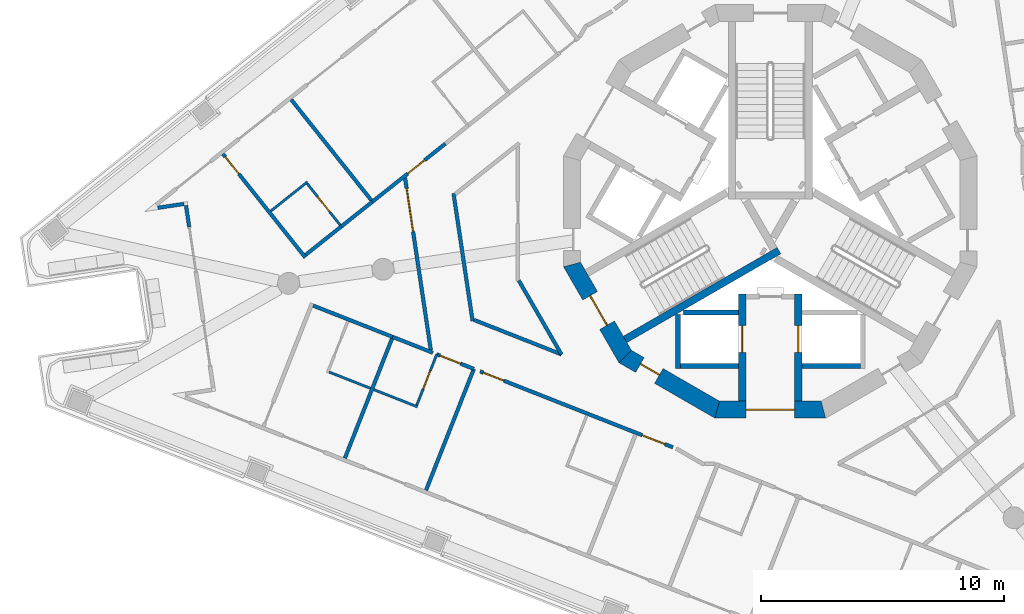
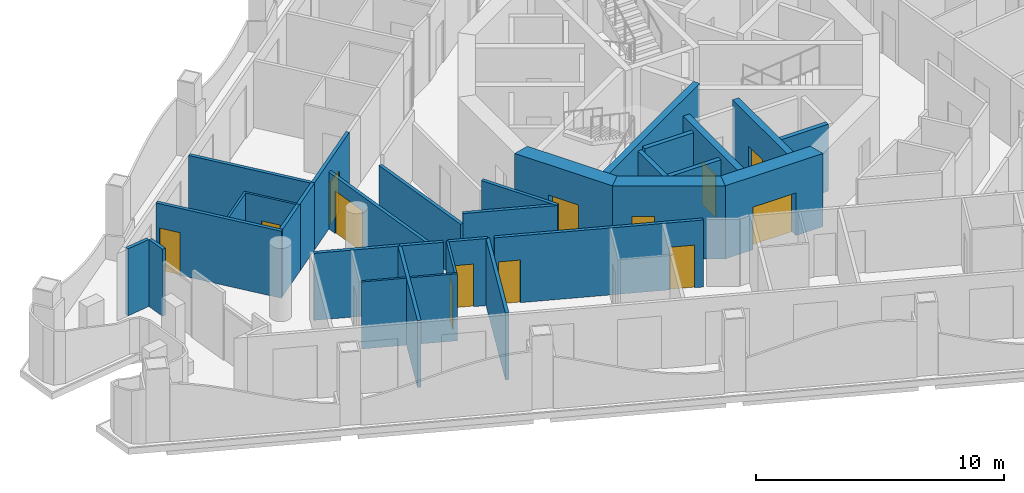
# One storey, part 3 of 17: 32 walls, 13 doors, 13 openings.
"""IFC4 building model written with IfcOpenShell, lengths in metres."""

from ifc_helpers import new_model, si_unit, direction, frame, frame_2d, origin, place, context, subcontext, project, spatial, polyline, rectangle, outline, extrude, material, layer, layer_set, type_object, element, fill, save


model = new_model("IFC4")

# Units and contexts
model_context = context("Model", 3, precision=1e-05, world=origin(), true_north=direction((0.0, 1.0)))
body_context = subcontext(model_context, "Body", "Model", "MODEL_VIEW")
ifc_project = project(units=[si_unit("LENGTHUNIT", "METRE"), si_unit("AREAUNIT", "SQUARE_METRE"), si_unit("VOLUMEUNIT", "CUBIC_METRE"), si_unit("PLANEANGLEUNIT", "RADIAN"), si_unit("MASSUNIT", "GRAM", prefix="KILO")], contexts=[model_context])

# Site, building, storey
site_placement = place(None, origin())
site = spatial("IfcSite", under=ifc_project, at=site_placement, CompositionType="ELEMENT")
building_placement = place(site_placement, origin())
building = spatial("IfcBuilding", under=site, at=building_placement, Name="Trine Commons Tower", CompositionType="ELEMENT")
storey_placement = place(building_placement, frame((0.0, 0.0, 216.0)))
storey = spatial("IfcBuildingStorey", under=building, at=storey_placement, Name="L56", CompositionType="ELEMENT", Elevation=216.0)

# Walls
ifc_material_1 = material(Name="Aluminium-framed insulated wall panel", Category="aluminium")
ifc_layer_1 = layer(ifc_material_1, 0.14990234375)
ifc_layer_set_1 = layer_set([ifc_layer_1], Name="Aluminium-framed insulated wall panel")
wall_type_1 = type_object("IfcWallType", Name="Glazed frame wall 150, EI 60", PredefinedType="SOLIDWALL", material=ifc_layer_set_1)
wall_1_placement = place(storey_placement, frame((56.115966796875, 61.86279296875, 0.0), z_axis=(0.0, 0.0, 1.0), x_axis=(-0.147946480694, 0.988995368468, 0.0)))
element("IfcWall", 1, at=wall_1_placement, inside=storey, type_object=wall_type_1, Name="Glazed frame wall P3.5", PredefinedType="SOLIDWALL", context=body_context, shape_type="SweptSolid", body=[
    extrude(outline(polyline([(0.889892578125, 0.074951171875), (0.0, 0.074951171875), (0.0, -0.074951171875), (0.889892578125, -0.074951171875), (0.889892578125, 0.074951171875)])), origin(), (0.0, 0.0, 1.0), 3.300048828125),
])
wall_2_placement = place(storey_placement, frame((56.0078125, 62.822265625, 0.0), z_axis=(0.0, 0.0, 1.0), x_axis=(-0.98902141065, -0.147772288596, 0.0)))
element("IfcWall", 2, at=wall_2_placement, inside=storey, type_object=wall_type_1, Name="Glazed frame wall R12", PredefinedType="SOLIDWALL", context=body_context, shape_type="SweptSolid", body=[
    extrude(outline(polyline([(0.110107421875, 0.074951171875), (0.110107421875, -0.074951171875), (1.19580078125, -0.074951171875), (1.19580078125, 0.074951171875), (0.110107421875, 0.074951171875)])), origin(), (0.0, 0.0, 1.0), 3.300048828125),
])

# Wall, opening, door
ifc_material_2 = material(Name="Concrete C60/75", Category="concrete")
ifc_layer_2 = layer(ifc_material_2, 0.300048828125)
ifc_layer_set_2 = layer_set([ifc_layer_2], Name="Concrete C60/75")
wall_type_2 = type_object("IfcWallType", Name="RC shear wall 300 mm, C60/75", PredefinedType="SHEAR", material=ifc_layer_set_2)
wall_3_placement = place(storey_placement, frame((78.85009765625, 59.10009765625, 0.0), z_axis=(0.0, 0.0, 1.0), x_axis=(0.0, -1.0, 0.0)))
wall_3 = element("IfcWall", 3, at=wall_3_placement, inside=storey, type_object=wall_type_2, Name="Core cross wall SWC-03 L56", PredefinedType="SHEAR", context=body_context, shape_type="SweptSolid", body=[
    extrude(rectangle(XDim=4.400146484375, YDim=0.300048828125, at=frame_2d((2.2001953125, 0.0))), origin(), (0.0, 0.0, 1.0), 3.60009765625),
])
opening_1_placement = place(wall_3_placement, frame((1.300048828125, 0.0, 0.0)))
opening_1 = element("IfcOpeningElement", 4, at=opening_1_placement, cuts=wall_3, Name="Opening LD10", PredefinedType="OPENING", context=body_context, shape_type="SweptSolid", body=[
    extrude(rectangle(XDim=1.10009765625, YDim=2.10009765625, at=frame_2d((0.550048828125, 1.050048828125))), frame((0.0, 0.159912109375, 0.0), z_axis=(0.0, -1.0, 0.0), x_axis=(1.0, 0.0, 0.0)), (0.0, 0.0, 1.0), 0.320068359375),
])
ifc_material_3 = material(Name="Stainless steel sliding door leaves", Category="steel")
door_type_1 = type_object("IfcDoorType", Name="Lift landing door, centre-opening sliding 1100 x 2100, FD90", OperationType="DOUBLE_DOOR_SLIDING", PredefinedType="DOOR", material=ifc_material_3)
door_1_placement = place(opening_1_placement, origin())
door_1 = element("IfcDoor", 5, at=door_1_placement, inside=storey, type_object=door_type_1, Name="Lift landing door FF2 L56", OperationType="DOUBLE_DOOR_SLIDING", OverallHeight=2.10009765625, OverallWidth=1.10009765625, PredefinedType="DOOR", context=body_context, shape_type="SweptSolid", body=[
    extrude(rectangle(XDim=1.10009765625, YDim=2.10009765625, at=frame_2d((0.550048828125, 1.050048828125))), frame((0.0, 0.02490234375, 0.0), z_axis=(0.0, -1.0, 0.0), x_axis=(1.0, 0.0, 0.0)), (0.0, 0.0, 1.0), 0.050048828125),
])
fill(opening_1, door_1)

wall_4_placement = place(storey_placement, frame((81.14990234375, 59.10009765625, 0.0), z_axis=(0.0, 0.0, 1.0), x_axis=(0.0, -1.0, 0.0)))
wall_4 = element("IfcWall", 6, at=wall_4_placement, inside=storey, type_object=wall_type_2, Name="Core cross wall SWC-04 L56", PredefinedType="SHEAR", context=body_context, shape_type="SweptSolid", body=[
    extrude(rectangle(XDim=4.400146484375, YDim=0.300048828125, at=frame_2d((2.2001953125, 0.0))), origin(), (0.0, 0.0, 1.0), 3.60009765625),
])
opening_2_placement = place(wall_4_placement, frame((1.300048828125, 0.0, 0.0)))
opening_2 = element("IfcOpeningElement", 7, at=opening_2_placement, cuts=wall_4, Name="Opening LD9", PredefinedType="OPENING", context=body_context, shape_type="SweptSolid", body=[
    extrude(rectangle(XDim=1.10009765625, YDim=2.10009765625, at=frame_2d((0.550048828125, 1.050048828125))), frame((0.0, 0.159912109375, 0.0), z_axis=(0.0, -1.0, 0.0), x_axis=(1.0, 0.0, 0.0)), (0.0, 0.0, 1.0), 0.320068359375),
])
door_2_placement = place(opening_2_placement, origin())
door_2 = element("IfcDoor", 8, at=door_2_placement, inside=storey, type_object=door_type_1, Name="Lift landing door FF1 L56", OperationType="DOUBLE_DOOR_SLIDING", OverallHeight=2.10009765625, OverallWidth=1.10009765625, PredefinedType="DOOR", context=body_context, shape_type="SweptSolid", body=[
    extrude(rectangle(XDim=1.10009765625, YDim=2.10009765625, at=frame_2d((0.550048828125, 1.050048828125))), frame((0.0, 0.02490234375, 0.0), z_axis=(0.0, -1.0, 0.0), x_axis=(1.0, 0.0, 0.0)), (0.0, 0.0, 1.0), 0.050048828125),
])
fill(opening_2, door_2)

# Wall
wall_5_placement = place(storey_placement, frame((80.35400390625, 60.885986328125, 0.0), z_axis=(0.0, 0.0, 1.0), x_axis=(-0.866032430508, -0.49998782916, 0.0)))
element("IfcWall", 9, at=wall_5_placement, inside=storey, type_object=wall_type_2, Name="Core cross wall SWC-14 L56", PredefinedType="SHEAR", context=body_context, shape_type="SweptSolid", body=[
    extrude(rectangle(XDim=7.300048828125, YDim=0.300048828125, at=frame_2d((3.64990234375, 0.0))), origin(), (0.0, 0.0, 1.0), 3.60009765625),
])

# Wall, opening, door
ifc_layer_3 = layer(ifc_material_2, 0.699951171875)
ifc_layer_set_3 = layer_set([ifc_layer_3], Name="Concrete C60/75")
wall_type_3 = type_object("IfcWallType", Name="RC shear wall 700 mm, C60/75", PredefinedType="SHEAR", material=ifc_layer_set_3)
wall_6_placement = place(storey_placement, frame((71.802978515625, 60.3974609375, 0.0), z_axis=(0.0, 0.0, 1.0), x_axis=(0.499983800959, -0.866034756103, 0.0)))
wall_6 = element("IfcWall", 10, at=wall_6_placement, inside=storey, type_object=wall_type_3, Name="Core wall CWF-08 L56", PredefinedType="SHEAR", context=body_context, shape_type="SweptSolid", body=[
    extrude(outline(polyline([(0.0, -0.35009765625), (4.55517578125, -0.35009765625), (4.36767578125, 0.35009765625), (0.1875, 0.35009765625), (0.0, -0.35009765625)])), origin(), (0.0, 0.0, 1.0), 3.60009765625),
])
opening_3_placement = place(wall_6_placement, frame((1.577392578125, 0.0, 0.0)))
opening_3 = element("IfcOpeningElement", 11, at=opening_3_placement, cuts=wall_6, Name="Opening K16.02", PredefinedType="OPENING", context=body_context, shape_type="SweptSolid", body=[
    extrude(rectangle(XDim=1.39990234375, YDim=2.10009765625, at=frame_2d((0.699951171875, 1.050048828125))), frame((0.0, 0.35986328125, 0.0), z_axis=(0.0, -1.0, 0.0), x_axis=(1.0, 0.0, 0.0)), (0.0, 0.0, 1.0), 0.719970703125),
])
ifc_material_4 = material(Name="Steel door leaves, fire-rated", Category="steel")
door_type_2 = type_object("IfcDoorType", Name="Stair door, double leaf 1400 x 2100, FD90", OperationType="DOUBLE_DOOR_SINGLE_SWING", PredefinedType="DOOR", material=ifc_material_4)
door_3_placement = place(opening_3_placement, origin())
door_3 = element("IfcDoor", 12, at=door_3_placement, inside=storey, type_object=door_type_2, Name="Stair door to Exit stair ST2C L56", OperationType="DOUBLE_DOOR_SINGLE_SWING", OverallHeight=2.10009765625, OverallWidth=1.39990234375, PredefinedType="DOOR", context=body_context, shape_type="SweptSolid", body=[
    extrude(rectangle(XDim=1.39990234375, YDim=2.10009765625, at=frame_2d((0.699951171875, 1.050048828125))), frame((0.0, 0.02490234375, 0.0), z_axis=(0.0, -1.0, 0.0), x_axis=(1.0, 0.0, 0.0)), (0.0, 0.0, 1.0), 0.050048828125),
])
fill(opening_3, door_3)

wall_7_placement = place(storey_placement, frame((73.952392578125, 56.58056640625, 0.0), z_axis=(0.0, 0.0, 1.0), x_axis=(0.866034756103, -0.499983800959, 0.0)))
wall_7 = element("IfcWall", 13, at=wall_7_placement, inside=storey, type_object=wall_type_3, Name="Core wall CWF-09 L56", PredefinedType="SHEAR", context=body_context, shape_type="SweptSolid", body=[
    extrude(outline(polyline([(0.0, -0.35009765625), (4.55517578125, -0.35009765625), (4.36767578125, 0.35009765625), (0.1875, 0.35009765625), (0.0, -0.35009765625)])), origin(), (0.0, 0.0, 1.0), 3.60009765625),
])
opening_4_placement = place(wall_7_placement, frame((0.791015625, 0.0, 0.0)))
opening_4 = element("IfcOpeningElement", 14, at=opening_4_placement, cuts=wall_7, Name="Opening K16.15", PredefinedType="OPENING", context=body_context, shape_type="SweptSolid", body=[
    extrude(rectangle(XDim=0.89990234375, YDim=2.10009765625, at=frame_2d((0.449951171875, 1.050048828125))), frame((0.0, 0.35986328125, 0.0), z_axis=(0.0, -1.0, 0.0), x_axis=(1.0, 0.0, 0.0)), (0.0, 0.0, 1.0), 0.719970703125),
])
ifc_material_5 = material(Name="Steel door leaf, fire-rated", Category="steel")
door_type_3 = type_object("IfcDoorType", Name="Core room door, single leaf 900 x 2100, FD30S", OperationType="SINGLE_SWING_LEFT", PredefinedType="DOOR", material=ifc_material_5)
door_4_placement = place(opening_4_placement, origin())
door_4 = element("IfcDoor", 15, at=door_4_placement, inside=storey, type_object=door_type_3, Name="Door to Parcel store L56", OperationType="SINGLE_SWING_LEFT", OverallHeight=2.10009765625, OverallWidth=0.89990234375, PredefinedType="DOOR", context=body_context, shape_type="SweptSolid", body=[
    extrude(rectangle(XDim=0.89990234375, YDim=2.10009765625, at=frame_2d((0.449951171875, 1.050048828125))), frame((0.0, 0.0751953125, 0.0), z_axis=(0.0, -1.0, 0.0), x_axis=(1.0, 0.0, 0.0)), (0.0, 0.0, 1.0), 0.050048828125),
])
fill(opening_4, door_4)

wall_8_placement = place(storey_placement, frame((77.722412109375, 54.349853515625, 0.0), z_axis=(0.0, 0.0, 1.0), x_axis=(1.0, 0.0, 0.0)))
wall_8 = element("IfcWall", 16, at=wall_8_placement, inside=storey, type_object=wall_type_3, Name="Core wall CWF-10 L56", PredefinedType="SHEAR", context=body_context, shape_type="SweptSolid", body=[
    extrude(outline(polyline([(0.0, -0.35009765625), (4.55517578125, -0.35009765625), (4.36767578125, 0.35009765625), (0.1875, 0.35009765625), (0.0, -0.35009765625)])), origin(), (0.0, 0.0, 1.0), 3.60009765625),
])
opening_5_placement = place(wall_8_placement, frame((1.277587890625, 0.0, 0.0)))
opening_5 = element("IfcOpeningElement", 17, at=opening_5_placement, cuts=wall_8, Name="Opening K16.08", PredefinedType="OPENING", context=body_context, shape_type="SweptSolid", body=[
    extrude(rectangle(XDim=2.0, YDim=2.10009765625, at=frame_2d((1.0, 1.050048828125))), frame((0.0, 0.35986328125, 0.0), z_axis=(0.0, -1.0, 0.0), x_axis=(1.0, 0.0, 0.0)), (0.0, 0.0, 1.0), 0.719970703125),
])
door_type_4 = type_object("IfcDoorType", Name="Lobby door, double leaf 2000 x 2100, FD60", OperationType="DOUBLE_DOOR_SINGLE_SWING", PredefinedType="DOOR", material=ifc_material_4)
door_5_placement = place(opening_5_placement, origin())
door_5 = element("IfcDoor", 18, at=door_5_placement, inside=storey, type_object=door_type_4, Name="Lobby door, Service and firefighting lobby L56", OperationType="DOUBLE_DOOR_SINGLE_SWING", OverallHeight=2.10009765625, OverallWidth=2.0, PredefinedType="DOOR", context=body_context, shape_type="SweptSolid", body=[
    extrude(rectangle(XDim=2.0, YDim=2.10009765625, at=frame_2d((1.0, 1.050048828125))), frame((0.0, 0.02490234375, 0.0), z_axis=(0.0, -1.0, 0.0), x_axis=(1.0, 0.0, 0.0)), (0.0, 0.0, 1.0), 0.050048828125),
])
fill(opening_5, door_5)

# Walls
ifc_material_6 = material(Name="Fire-rated gypsum shaft wall system")
ifc_layer_4 = layer(ifc_material_6, 0.199951171875)
ifc_layer_set_4 = layer_set([ifc_layer_4], Name="Fire-rated gypsum shaft wall system")
wall_type_4 = type_object("IfcWallType", Name="Shaft wall 200 mm, EI 120", PredefinedType="PARTITIONING", material=ifc_layer_set_4)
wall_9_placement = place(storey_placement, frame((76.199951171875, 58.257080078125, 0.0), z_axis=(0.0, 0.0, 1.0), x_axis=(0.0, -1.0, 0.0)))
element("IfcWall", 19, at=wall_9_placement, inside=storey, type_object=wall_type_4, Name="Shaft wall L56", PredefinedType="PARTITIONING", context=body_context, shape_type="SweptSolid", body=[
    extrude(rectangle(XDim=2.20703125, YDim=0.199951171875, at=frame_2d((1.103515625, 0.0))), origin(), (0.0, 0.0, 1.0), 3.300048828125),
])
wall_10_placement = place(storey_placement, frame((78.699951171875, 56.14990234375, 0.0), z_axis=(0.0, 0.0, 1.0), x_axis=(-1.0, 0.0, 0.0)))
element("IfcWall", 20, at=wall_10_placement, inside=storey, type_object=wall_type_4, Name="Shaft wall L56", PredefinedType="PARTITIONING", context=body_context, shape_type="SweptSolid", body=[
    extrude(rectangle(XDim=2.39990234375, YDim=0.199951171875, at=frame_2d((1.199951171875, 0.0))), origin(), (0.0, 0.0, 1.0), 3.300048828125),
])
wall_11_placement = place(storey_placement, frame((78.699951171875, 58.35009765625, 0.0), z_axis=(0.0, 0.0, 1.0), x_axis=(-1.0, 0.0, 0.0)))
element("IfcWall", 21, at=wall_11_placement, inside=storey, type_object=wall_type_4, Name="Shaft wall L56", PredefinedType="PARTITIONING", context=body_context, shape_type="SweptSolid", body=[
    extrude(rectangle(XDim=2.264892578125, YDim=0.199951171875, at=frame_2d((1.13232421875, 0.0))), origin(), (0.0, 0.0, 1.0), 3.300048828125),
])
wall_12_placement = place(storey_placement, frame((81.300048828125, 56.14990234375, 0.0), z_axis=(0.0, 0.0, 1.0), x_axis=(1.0, 0.0, 0.0)))
element("IfcWall", 22, at=wall_12_placement, inside=storey, type_object=wall_type_4, Name="Shaft wall L56", PredefinedType="PARTITIONING", context=body_context, shape_type="SweptSolid", body=[
    extrude(rectangle(XDim=2.39990234375, YDim=0.199951171875, at=frame_2d((1.199951171875, 0.0))), origin(), (0.0, 0.0, 1.0), 3.300048828125),
])

# Wall, opening, door
ifc_material_7 = material(Name="Gypsum plasterboard on steel stud", Category="steel")
ifc_layer_5 = layer(ifc_material_7, 0.14990234375)
ifc_layer_set_5 = layer_set([ifc_layer_5], Name="Gypsum plasterboard on steel stud")
wall_type_5 = type_object("IfcWallType", Name="Unit and corridor wall 150 mm, EI 60", PredefinedType="PARTITIONING", material=ifc_layer_set_5)
wall_13_placement = place(storey_placement, frame((57.50390625, 64.858642578125, 0.0), z_axis=(0.0, 0.0, 1.0), x_axis=(0.622567332104, -0.782566238089, 0.0)))
wall_13 = element("IfcWall", 23, at=wall_13_placement, inside=storey, type_object=wall_type_5, Name="Partition 001", PredefinedType="PARTITIONING", context=body_context, shape_type="SweptSolid", body=[
    extrude(rectangle(XDim=5.435302734375, YDim=0.14990234375, at=frame_2d((2.7177734375, 0.0))), origin(), (0.0, 0.0, 1.0), 3.300048828125),
])
opening_6_placement = place(wall_13_placement, frame((0.14990234375, 0.0, 0.0)))
opening_6 = element("IfcOpeningElement", 24, at=opening_6_placement, cuts=wall_13, Name="Opening D-6B05", PredefinedType="OPENING", context=body_context, shape_type="SweptSolid", body=[
    extrude(rectangle(XDim=0.89990234375, YDim=2.10009765625, at=frame_2d((0.449951171875, 1.050048828125))), frame((0.0, 0.0849609375, 0.0), z_axis=(0.0, -1.0, 0.0), x_axis=(1.0, 0.0, 0.0)), (0.0, 0.0, 1.0), 0.169921875),
])
ifc_material_8 = material(Name="Timber fire door set", Category="wood")
door_type_5 = type_object("IfcDoorType", Name="Bedroom door 900 x 2100, FD30S", OperationType="NOTDEFINED", PredefinedType="DOOR", material=ifc_material_8)
door_6_placement = place(opening_6_placement, origin())
door_6 = element("IfcDoor", 25, at=door_6_placement, inside=storey, type_object=door_type_5, Name="Door D-6B05", OperationType="SINGLE_SWING_LEFT", OverallHeight=2.10009765625, OverallWidth=0.89990234375, PredefinedType="DOOR", context=body_context, shape_type="SweptSolid", body=[
    extrude(rectangle(XDim=0.89990234375, YDim=2.10009765625, at=frame_2d((0.449951171875, 1.050048828125))), frame((0.0, 0.02490234375, 0.0), z_axis=(0.0, -1.0, 0.0), x_axis=(1.0, 0.0, 0.0)), (0.0, 0.0, 1.0), 0.050048828125),
])
fill(opening_6, door_6)

# Walls
wall_14_placement = place(storey_placement, frame((60.309814453125, 67.091796875, 0.0), z_axis=(0.0, 0.0, 1.0), x_axis=(0.622585933561, -0.782551439416, 0.0)))
element("IfcWall", 26, at=wall_14_placement, inside=storey, type_object=wall_type_5, Name="Partition 004", PredefinedType="PARTITIONING", context=body_context, shape_type="SweptSolid", body=[
    extrude(rectangle(XDim=5.28515625, YDim=0.14990234375, at=frame_2d((2.642578125, 0.0))), origin(), (0.0, 0.0, 1.0), 3.300048828125),
])
wall_15_placement = place(storey_placement, frame((60.899658203125, 60.710693359375, 0.0), z_axis=(0.0, 0.0, 1.0), x_axis=(0.782680939845, 0.622423124894, 0.0)))
element("IfcWall", 27, at=wall_15_placement, inside=storey, type_object=wall_type_5, Name="Partition 005", PredefinedType="PARTITIONING", context=body_context, shape_type="SweptSolid", body=[
    extrude(rectangle(XDim=1.9287109375, YDim=0.14990234375, at=frame_2d((0.96435546875, 0.0))), origin(), (0.0, 0.0, 1.0), 3.300048828125),
])
wall_16_placement = place(storey_placement, frame((61.210693359375, 58.62646484375, 0.0), z_axis=(0.0, 0.0, 1.0), x_axis=(0.930481659578, -0.36633847899, 0.0)))
element("IfcWall", 28, at=wall_16_placement, inside=storey, type_object=wall_type_5, Name="Partition 007", PredefinedType="PARTITIONING", context=body_context, shape_type="SweptSolid", body=[
    extrude(rectangle(XDim=3.511474609375, YDim=0.14990234375, at=frame_2d((1.755859375, 0.0))), origin(), (0.0, 0.0, 1.0), 3.300048828125),
])
wall_17_placement = place(storey_placement, frame((62.364013671875, 61.8759765625, 0.0), z_axis=(0.0, 0.0, 1.0), x_axis=(0.782464195165, 0.622695578341, 0.0)))
element("IfcWall", 29, at=wall_17_placement, inside=storey, type_object=wall_type_5, Name="Partition 010", PredefinedType="PARTITIONING", context=body_context, shape_type="SweptSolid", body=[
    extrude(rectangle(XDim=1.6396484375, YDim=0.14990234375, at=frame_2d((0.81982421875, 0.0))), origin(), (0.0, 0.0, 1.0), 3.300048828125),
])
wall_18_placement = place(storey_placement, frame((62.513671875, 52.352294921875, 0.0), z_axis=(0.0, 0.0, 1.0), x_axis=(0.366423948711, 0.930448004894, 0.0)))
element("IfcWall", 30, at=wall_18_placement, inside=storey, type_object=wall_type_5, Name="Partition 011", PredefinedType="PARTITIONING", context=body_context, shape_type="SweptSolid", body=[
    extrude(rectangle(XDim=5.28564453125, YDim=0.14990234375, at=frame_2d((2.642822265625, 0.0))), origin(), (0.0, 0.0, 1.0), 3.300048828125),
])

# Wall, opening, door
wall_19_placement = place(storey_placement, frame((63.64697265625, 62.89697265625, 0.0), z_axis=(0.0, 0.0, 1.0), x_axis=(0.78262647409, 0.622491608018, 0.0)))
wall_19 = element("IfcWall", 31, at=wall_19_placement, inside=storey, type_object=wall_type_5, Name="Partition 013", PredefinedType="PARTITIONING", context=body_context, shape_type="SweptSolid", body=[
    extrude(rectangle(XDim=3.828369140625, YDim=0.14990234375, at=frame_2d((1.9140625, 0.0))), origin(), (0.0, 0.0, 1.0), 3.300048828125),
])
opening_7_placement = place(wall_19_placement, frame((1.847900390625, 0.0, 0.0)))
opening_7 = element("IfcOpeningElement", 32, at=opening_7_placement, cuts=wall_19, Name="Opening D-6B06", PredefinedType="OPENING", context=body_context, shape_type="SweptSolid", body=[
    extrude(rectangle(XDim=0.89990234375, YDim=2.10009765625, at=frame_2d((0.449951171875, 1.050048828125))), frame((0.0, 0.0849609375, 0.0), z_axis=(0.0, -1.0, 0.0), x_axis=(1.0, 0.0, 0.0)), (0.0, 0.0, 1.0), 0.169921875),
])
door_7_placement = place(opening_7_placement, origin())
door_7 = element("IfcDoor", 33, at=door_7_placement, inside=storey, type_object=door_type_5, Name="Door D-6B06", OperationType="SINGLE_SWING_RIGHT", OverallHeight=2.10009765625, OverallWidth=0.89990234375, PredefinedType="DOOR", context=body_context, shape_type="SweptSolid", body=[
    extrude(rectangle(XDim=0.89990234375, YDim=2.10009765625, at=frame_2d((0.449951171875, 1.050048828125))), frame((0.0, 0.02490234375, 0.0), z_axis=(0.0, -1.0, 0.0), x_axis=(1.0, 0.0, 0.0)), (0.0, 0.0, 1.0), 0.050048828125),
])
fill(opening_7, door_7)

# Wall
wall_20_placement = place(storey_placement, frame((64.47802734375, 57.340087890625, 0.0), z_axis=(0.0, 0.0, 1.0), x_axis=(0.930260356215, -0.366900081295, 0.0)))
element("IfcWall", 34, at=wall_20_placement, inside=storey, type_object=wall_type_5, Name="Partition 014", PredefinedType="PARTITIONING", context=body_context, shape_type="SweptSolid", body=[
    extrude(rectangle(XDim=1.7734375, YDim=0.14990234375, at=frame_2d((0.88671875, 0.0))), origin(), (0.0, 0.0, 1.0), 3.300048828125),
])

# Wall, opening, door
wall_21_placement = place(storey_placement, frame((64.987060546875, 63.8798828125, 0.0), z_axis=(0.0, 0.0, 1.0), x_axis=(0.147865724858, -0.98900744558, 0.0)))
wall_21 = element("IfcWall", 35, at=wall_21_placement, inside=storey, type_object=wall_type_5, Name="Partition 015", PredefinedType="PARTITIONING", context=body_context, shape_type="SweptSolid", body=[
    extrude(rectangle(XDim=7.16748046875, YDim=0.14990234375, at=frame_2d((3.583740234375, 0.0))), origin(), (0.0, 0.0, 1.0), 2.800048828125),
])
opening_8_placement = place(wall_21_placement, frame((0.44677734375, 0.0, 0.0)))
opening_8 = element("IfcOpeningElement", 36, at=opening_8_placement, cuts=wall_21, Name="Opening D-6B03", PredefinedType="OPENING", context=body_context, shape_type="SweptSolid", body=[
    extrude(rectangle(XDim=1.800048828125, YDim=2.10009765625, at=frame_2d((0.89990234375, 1.050048828125))), frame((0.0, 0.0849609375, 0.0), z_axis=(0.0, -1.0, 0.0), x_axis=(1.0, 0.0, 0.0)), (0.0, 0.0, 1.0), 0.169921875),
])
door_type_6 = type_object("IfcDoorType", Name="Cluster entrance door 1800 x 2100, double leaf, FD30S", OperationType="DOUBLE_DOOR_DOUBLE_SWING", PredefinedType="DOOR", material=ifc_material_8)
door_8_placement = place(opening_8_placement, frame((1.800048828125, 0.0, 0.0), z_axis=(0.0, 0.0, 1.0), x_axis=(-1.0, 0.0, 0.0)))
door_8 = element("IfcDoor", 37, at=door_8_placement, inside=storey, type_object=door_type_6, Name="Door D-6B03", OperationType="DOUBLE_DOOR_DOUBLE_SWING", OverallHeight=2.10009765625, OverallWidth=1.800048828125, PredefinedType="DOOR", context=body_context, shape_type="SweptSolid", body=[
    extrude(rectangle(XDim=1.800048828125, YDim=2.10009765625, at=frame_2d((0.89990234375, 1.050048828125))), frame((0.0, 0.02490234375, 0.0), z_axis=(0.0, -1.0, 0.0), x_axis=(1.0, 0.0, 0.0)), (0.0, 0.0, 1.0), 0.050048828125),
])
fill(opening_8, door_8)

# Wall
wall_22_placement = place(storey_placement, frame((65.849609375, 51.0380859375, 0.0), z_axis=(0.0, 0.0, 1.0), x_axis=(0.366500620458, 0.930417806796, 0.0)))
element("IfcWall", 38, at=wall_22_placement, inside=storey, type_object=wall_type_5, Name="Partition 018", PredefinedType="PARTITIONING", context=body_context, shape_type="SweptSolid", body=[
    extrude(rectangle(XDim=5.35986328125, YDim=0.14990234375, at=frame_2d((2.679931640625, 0.0))), origin(), (0.0, 0.0, 1.0), 3.300048828125),
])

# Wall, opening, door
wall_23_placement = place(storey_placement, frame((66.2880859375, 56.6259765625, 0.0), z_axis=(0.0, 0.0, 1.0), x_axis=(0.930551023018, -0.366162250321, 0.0)))
wall_23 = element("IfcWall", 39, at=wall_23_placement, inside=storey, type_object=wall_type_5, Name="Partition 022", PredefinedType="PARTITIONING", context=body_context, shape_type="SweptSolid", body=[
    extrude(rectangle(XDim=1.644287109375, YDim=0.14990234375, at=frame_2d((0.822265625, 0.0))), origin(), (0.0, 0.0, 1.0), 3.300048828125),
])
opening_9_placement = place(wall_23_placement, frame((0.154052734375, 0.0, 0.0)))
opening_9 = element("IfcOpeningElement", 40, at=opening_9_placement, cuts=wall_23, Name="Opening D-6B26", PredefinedType="OPENING", context=body_context, shape_type="SweptSolid", body=[
    extrude(rectangle(XDim=0.89990234375, YDim=2.10009765625, at=frame_2d((0.449951171875, 1.050048828125))), frame((0.0, 0.0849609375, 0.0), z_axis=(0.0, -1.0, 0.0), x_axis=(1.0, 0.0, 0.0)), (0.0, 0.0, 1.0), 0.169921875),
])
door_9_placement = place(opening_9_placement, frame((0.89990234375, 0.0, 0.0), z_axis=(0.0, 0.0, 1.0), x_axis=(-1.0, 0.0, 0.0)))
door_9 = element("IfcDoor", 41, at=door_9_placement, inside=storey, type_object=door_type_5, Name="Door D-6B26", OperationType="SINGLE_SWING_RIGHT", OverallHeight=2.10009765625, OverallWidth=0.89990234375, PredefinedType="DOOR", context=body_context, shape_type="SweptSolid", body=[
    extrude(rectangle(XDim=0.89990234375, YDim=2.10009765625, at=frame_2d((0.449951171875, 1.050048828125))), frame((0.0, 0.02490234375, 0.0), z_axis=(0.0, -1.0, 0.0), x_axis=(1.0, 0.0, 0.0)), (0.0, 0.0, 1.0), 0.050048828125),
])
fill(opening_9, door_9)

# Walls
wall_24_placement = place(storey_placement, frame((66.97998046875, 63.234130859375, 0.0), z_axis=(0.0, 0.0, 1.0), x_axis=(0.14773017043, -0.989027702719, 0.0)))
element("IfcWall", 42, at=wall_24_placement, inside=storey, type_object=wall_type_5, Name="Partition 024", PredefinedType="PARTITIONING", context=body_context, shape_type="SweptSolid", body=[
    extrude(rectangle(XDim=5.301513671875, YDim=0.14990234375, at=frame_2d((2.65087890625, 0.0))), origin(), (0.0, 0.0, 1.0), 2.800048828125),
])
wall_25_placement = place(storey_placement, frame((67.82177734375, 58.03759765625, 0.0), z_axis=(0.0, 0.0, 1.0), x_axis=(0.930426693307, -0.366478059892, 0.0)))
element("IfcWall", 43, at=wall_25_placement, inside=storey, type_object=wall_type_5, Name="Partition 027", PredefinedType="PARTITIONING", context=body_context, shape_type="SweptSolid", body=[
    extrude(rectangle(XDim=3.85986328125, YDim=0.14990234375, at=frame_2d((1.929931640625, 0.0))), origin(), (0.0, 0.0, 1.0), 3.300048828125),
])

# Wall, openings, doors
wall_26_placement = place(storey_placement, frame((68.072021484375, 55.924072265625, 0.0), z_axis=(0.0, 0.0, 1.0), x_axis=(0.930389729542, -0.366571890852, 0.0)))
wall_26 = element("IfcWall", 44, at=wall_26_placement, inside=storey, type_object=wall_type_5, Name="Partition 029", PredefinedType="PARTITIONING", context=body_context, shape_type="SweptSolid", body=[
    extrude(rectangle(XDim=8.516845703125, YDim=0.14990234375, at=frame_2d((4.25830078125, 0.0))), origin(), (0.0, 0.0, 1.0), 3.300048828125),
])
opening_10_placement = place(wall_26_placement, frame((7.162109375, 0.0, 0.0)))
opening_10 = element("IfcOpeningElement", 45, at=opening_10_placement, cuts=wall_26, Name="Opening D-6B24", PredefinedType="OPENING", context=body_context, shape_type="SweptSolid", body=[
    extrude(rectangle(XDim=1.0, YDim=2.10009765625, at=frame_2d((0.5, 1.050048828125))), frame((0.0, 0.0849609375, 0.0), z_axis=(0.0, -1.0, 0.0), x_axis=(1.0, 0.0, 0.0)), (0.0, 0.0, 1.0), 0.169921875),
])
opening_11_placement = place(wall_26_placement, frame((0.14990234375, 0.0, 0.0)))
opening_11 = element("IfcOpeningElement", 46, at=opening_11_placement, cuts=wall_26, Name="Opening D-6B25", PredefinedType="OPENING", context=body_context, shape_type="SweptSolid", body=[
    extrude(rectangle(XDim=0.89990234375, YDim=2.10009765625, at=frame_2d((0.449951171875, 1.050048828125))), frame((0.0, 0.0849609375, 0.0), z_axis=(0.0, -1.0, 0.0), x_axis=(1.0, 0.0, 0.0)), (0.0, 0.0, 1.0), 0.169921875),
])
door_10_placement = place(opening_11_placement, frame((0.89990234375, 0.0, 0.0), z_axis=(0.0, 0.0, 1.0), x_axis=(-1.0, 0.0, 0.0)))
door_10 = element("IfcDoor", 47, at=door_10_placement, inside=storey, type_object=door_type_5, Name="Door D-6B25", OperationType="SINGLE_SWING_RIGHT", OverallHeight=2.10009765625, OverallWidth=0.89990234375, PredefinedType="DOOR", context=body_context, shape_type="SweptSolid", body=[
    extrude(rectangle(XDim=0.89990234375, YDim=2.10009765625, at=frame_2d((0.449951171875, 1.050048828125))), frame((0.0, 0.02490234375, 0.0), z_axis=(0.0, -1.0, 0.0), x_axis=(1.0, 0.0, 0.0)), (0.0, 0.0, 1.0), 0.050048828125),
])
fill(opening_11, door_10)
ifc_material_9 = material(Name="Painted timber", Category="wood")
door_type_7 = type_object("IfcDoorType", Name="Toilet door 1000 x 2100, NOT RATED", OperationType="NOTDEFINED", PredefinedType="DOOR", material=ifc_material_9)
door_11_placement = place(opening_10_placement, frame((1.0, 0.0, 0.0), z_axis=(0.0, 0.0, 1.0), x_axis=(-1.0, 0.0, 0.0)))
door_11 = element("IfcDoor", 48, at=door_11_placement, inside=storey, type_object=door_type_7, Name="Door D-6B24", OperationType="SINGLE_SWING_LEFT", OverallHeight=2.10009765625, OverallWidth=1.0, PredefinedType="DOOR", context=body_context, shape_type="SweptSolid", body=[
    extrude(rectangle(XDim=1.0, YDim=2.10009765625, at=frame_2d((0.5, 1.050048828125))), frame((0.0, 0.02490234375, 0.0), z_axis=(0.0, -1.0, 0.0), x_axis=(1.0, 0.0, 0.0)), (0.0, 0.0, 1.0), 0.050048828125),
])
fill(opening_10, door_11)

# Walls
wall_27_placement = place(storey_placement, frame((69.66259765625, 59.655029296875, 0.0), z_axis=(0.0, 0.0, 1.0), x_axis=(0.50005009493, -0.865996479531, 0.0)))
element("IfcWall", 49, at=wall_27_placement, inside=storey, type_object=wall_type_5, Name="Partition 033", PredefinedType="PARTITIONING", context=body_context, shape_type="SweptSolid", body=[
    extrude(rectangle(XDim=3.504638671875, YDim=0.14990234375, at=frame_2d((1.75244140625, 0.0))), origin(), (0.0, 0.0, 1.0), 3.300048828125),
])
ifc_layer_6 = layer(ifc_material_7, 0.10009765625)
ifc_layer_set_6 = layer_set([ifc_layer_6], Name="Gypsum plasterboard on steel stud")
wall_type_6 = type_object("IfcWallType", Name="Unit partition 100 mm, no rating", PredefinedType="PARTITIONING", material=ifc_layer_set_6)
wall_28_placement = place(storey_placement, frame((59.4677734375, 62.5107421875, 0.0), z_axis=(0.0, 0.0, 1.0), x_axis=(0.782598245326, 0.62252709693, 0.0)))
element("IfcWall", 50, at=wall_28_placement, inside=storey, type_object=wall_type_6, Name="Partition 003", PredefinedType="PARTITIONING", context=body_context, shape_type="SweptSolid", body=[
    extrude(rectangle(XDim=1.9248046875, YDim=0.10009765625, at=frame_2d((0.96240234375, 0.0))), origin(), (0.0, 0.0, 1.0), 3.300048828125),
])

# Wall, opening, door
wall_29_placement = place(storey_placement, frame((60.966064453125, 63.638916015625, 0.0), z_axis=(0.0, 0.0, 1.0), x_axis=(0.622598555727, -0.782541397248, 0.0)))
wall_29 = element("IfcWall", 51, at=wall_29_placement, inside=storey, type_object=wall_type_6, Name="Partition 006", PredefinedType="PARTITIONING", context=body_context, shape_type="SweptSolid", body=[
    extrude(rectangle(XDim=2.175048828125, YDim=0.10009765625, at=frame_2d((1.08740234375, 0.0))), origin(), (0.0, 0.0, 1.0), 3.300048828125),
])
opening_12_placement = place(wall_29_placement, frame((0.6875, 0.0, 0.0)))
opening_12 = element("IfcOpeningElement", 52, at=opening_12_placement, cuts=wall_29, Name="Opening D-6B35", PredefinedType="OPENING", context=body_context, shape_type="SweptSolid", body=[
    extrude(rectangle(XDim=0.800048828125, YDim=2.10009765625, at=frame_2d((0.39990234375, 1.050048828125))), frame((0.0, 0.06005859375, 0.0), z_axis=(0.0, -1.0, 0.0), x_axis=(1.0, 0.0, 0.0)), (0.0, 0.0, 1.0), 0.1201171875),
])
door_type_8 = type_object("IfcDoorType", Name="Internal door 800 x 2100, NOT RATED", OperationType="NOTDEFINED", PredefinedType="DOOR", material=ifc_material_9)
door_12_placement = place(opening_12_placement, origin())
door_12 = element("IfcDoor", 53, at=door_12_placement, inside=storey, type_object=door_type_8, Name="Door D-6B35", OperationType="SINGLE_SWING_LEFT", OverallHeight=2.10009765625, OverallWidth=0.800048828125, PredefinedType="DOOR", context=body_context, shape_type="SweptSolid", body=[
    extrude(rectangle(XDim=0.800048828125, YDim=2.10009765625, at=frame_2d((0.39990234375, 1.050048828125))), frame((0.0, 0.02490234375, 0.0), z_axis=(0.0, -1.0, 0.0), x_axis=(1.0, 0.0, 0.0)), (0.0, 0.0, 1.0), 0.050048828125),
])
fill(opening_12, door_12)

# Walls
wall_30_placement = place(storey_placement, frame((61.866455078125, 55.895751953125, 0.0), z_axis=(0.0, 0.0, 1.0), x_axis=(0.930592094338, -0.366057856022, 0.0)))
element("IfcWall", 54, at=wall_30_placement, inside=storey, type_object=wall_type_6, Name="Partition 009", PredefinedType="PARTITIONING", context=body_context, shape_type="SweptSolid", body=[
    extrude(rectangle(XDim=1.825439453125, YDim=0.10009765625, at=frame_2d((0.91259765625, 0.0))), origin(), (0.0, 0.0, 1.0), 3.300048828125),
])
wall_31_placement = place(storey_placement, frame((63.704833984375, 55.172607421875, 0.0), z_axis=(0.0, 0.0, 1.0), x_axis=(0.930345464998, -0.366684218038, 0.0)))
element("IfcWall", 55, at=wall_31_placement, inside=storey, type_object=wall_type_6, Name="Partition 012", PredefinedType="PARTITIONING", context=body_context, shape_type="SweptSolid", body=[
    extrude(rectangle(XDim=1.9248046875, YDim=0.10009765625, at=frame_2d((0.96240234375, 0.0))), origin(), (0.0, 0.0, 1.0), 3.300048828125),
])

# Wall, opening, door
wall_32_placement = place(storey_placement, frame((65.46728515625, 54.531494140625, 0.0), z_axis=(0.0, 0.0, 1.0), x_axis=(0.366521672129, 0.930409514063, 0.0)))
wall_32 = element("IfcWall", 56, at=wall_32_placement, inside=storey, type_object=wall_type_6, Name="Partition 017", PredefinedType="PARTITIONING", context=body_context, shape_type="SweptSolid", body=[
    extrude(rectangle(XDim=2.25, YDim=0.10009765625, at=frame_2d((1.125, 0.0))), origin(), (0.0, 0.0, 1.0), 3.300048828125),
])
opening_13_placement = place(wall_32_placement, frame((0.72509765625, 0.0, 0.0)))
opening_13 = element("IfcOpeningElement", 57, at=opening_13_placement, cuts=wall_32, Name="Opening D-6B54", PredefinedType="OPENING", context=body_context, shape_type="SweptSolid", body=[
    extrude(rectangle(XDim=0.800048828125, YDim=2.10009765625, at=frame_2d((0.39990234375, 1.050048828125))), frame((0.0, 0.06005859375, 0.0), z_axis=(0.0, -1.0, 0.0), x_axis=(1.0, 0.0, 0.0)), (0.0, 0.0, 1.0), 0.1201171875),
])
door_13_placement = place(opening_13_placement, frame((0.800048828125, 0.0, 0.0), z_axis=(0.0, 0.0, 1.0), x_axis=(-1.0, 0.0, 0.0)))
door_13 = element("IfcDoor", 58, at=door_13_placement, inside=storey, type_object=door_type_8, Name="Door D-6B54", OperationType="SINGLE_SWING_LEFT", OverallHeight=2.10009765625, OverallWidth=0.800048828125, PredefinedType="DOOR", context=body_context, shape_type="SweptSolid", body=[
    extrude(rectangle(XDim=0.800048828125, YDim=2.10009765625, at=frame_2d((0.39990234375, 1.050048828125))), frame((0.0, 0.02490234375, 0.0), z_axis=(0.0, -1.0, 0.0), x_axis=(1.0, 0.0, 0.0)), (0.0, 0.0, 1.0), 0.050048828125),
])
fill(opening_13, door_13)

save(model, "model.ifc")
